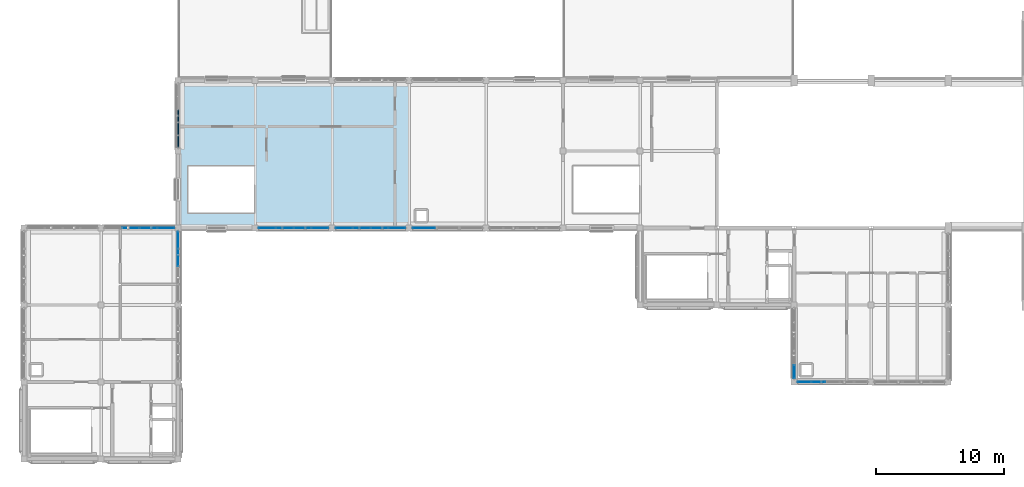
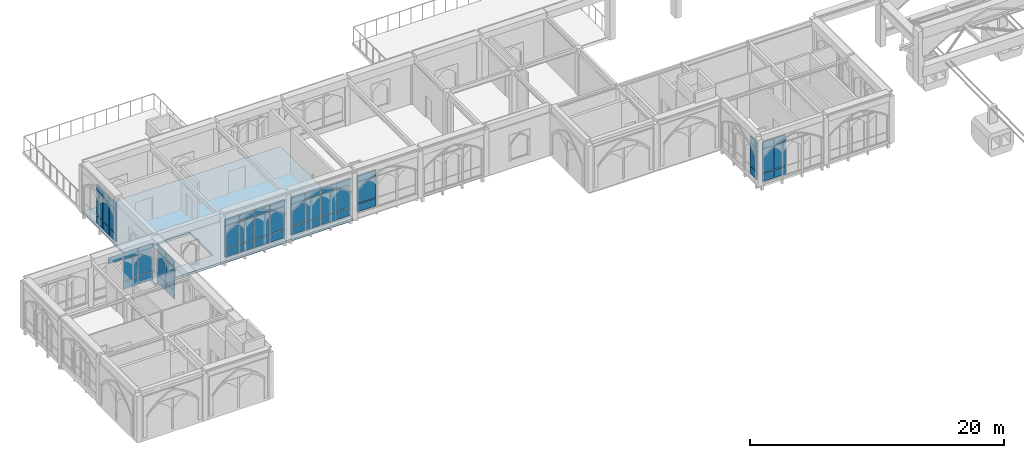
# One storey, part 36 of 59: 58 plates, 1 slab, 8 elements without a shape of their own.
"""IFC4 building model written with IfcOpenShell, lengths in metres."""

from ifc_helpers import new_model, si_unit, direction, frame, origin, origin_2d, place, context, subcontext, project, spatial, polyline, rectangle, outline, extrude, material, layer, layer_set, type_object, element, aggregate, save


model = new_model("IFC4")

# Units and contexts
model_context = context("Model", 3, precision=1e-05, world=origin(), true_north=direction((0.0, 1.0)))
body_context = subcontext(model_context, "Body", "Model", "MODEL_VIEW")
ifc_project = project(units=[si_unit("LENGTHUNIT", "METRE"), si_unit("AREAUNIT", "SQUARE_METRE"), si_unit("VOLUMEUNIT", "CUBIC_METRE"), si_unit("PLANEANGLEUNIT", "RADIAN"), si_unit("MASSUNIT", "GRAM", prefix="KILO")], contexts=[model_context])

# Site, building, storey
site_placement = place(None, origin())
site = spatial("IfcSite", under=ifc_project, at=site_placement, CompositionType="ELEMENT")
building_placement = place(site_placement, origin())
building = spatial("IfcBuilding", under=site, at=building_placement, Name="Cumevento Cable Car Station", CompositionType="ELEMENT")
storey_placement = place(building_placement, frame((0.0, 0.0, 18.0)))
storey = spatial("IfcBuildingStorey", under=building, at=storey_placement, Name="L05", CompositionType="ELEMENT", Elevation=18.0)

# Slab
ifc_material_1 = material(Name="Concrete C40/50", Category="concrete")
ifc_layer_1 = layer(ifc_material_1, 0.2119140625)
ifc_layer_set_1 = layer_set([ifc_layer_1], Name="Concrete C40/50")
slab_type = type_object("IfcSlabType", Name="Concrete Deck FS-212 212", PredefinedType="FLOOR", material=ifc_layer_set_1)
slab_placement = place(storey_placement, frame((0.0, 0.0, -0.2119140625)))
element("IfcSlab", 1, at=slab_placement, inside=storey, type_object=slab_type, Name="Floor Slab FS-212 L05 B_V6c.1", PredefinedType="FLOOR", context=body_context, shape_type="SweptSolid", body=[
    extrude(outline(polyline([(22.0, 45.0), (40.0, 45.0), (40.0, 56.5), (22.0, 56.5), (22.0, 45.0)]), holes=[polyline([(22.800048828125, 46.199951171875), (27.89990234375, 46.199951171875), (27.89990234375, 49.800048828125), (22.800048828125, 49.800048828125), (22.800048828125, 46.199951171875)])]), origin(), (0.0, 0.0, 1.0), 0.2119140625),
])

# Curtain wall, plates
ifc_material_2 = material(Name="Anodised Bronze Aluminium AW-6063-T6", Category="aluminium")
ifc_layer_2 = layer(ifc_material_2, 0.196044921875)
ifc_layer_set_2 = layer_set([ifc_layer_2], Name="Anodised Bronze Aluminium AW-6063-T6")
curtain_wall_type_1 = type_object("IfcCurtainWallType", Name="Lancet Curtain Wall CW-07 1290", PredefinedType="NOTDEFINED", material=ifc_layer_set_2)
curtain_wall_1_placement = place(storey_placement, origin())
curtain_wall_1 = element("IfcCurtainWall", 2, at=curtain_wall_1_placement, inside=storey, type_object=curtain_wall_type_1, Name="Lancet Curtain Wall CW-07 L05 #198", PredefinedType="NOTDEFINED")
ifc_material_3 = material(Name="Solar Control Laminated Double Glazing", Category="glass")
ifc_layer_3 = layer(ifc_material_3, 0.030029296875)
ifc_layer_set_3 = layer_set([ifc_layer_3], Name="Solar Control Laminated Double Glazing")
plate_type_1 = type_object("IfcPlateType", Name="Glazed Panel CWP-03 30", PredefinedType="CURTAIN_PANEL", material=ifc_layer_set_3)
plate_1_placement = place(storey_placement, frame((18.30615234375, 45.0, 3.425537109375), z_axis=(0.0, 0.0, 1.0), x_axis=(1.0, 0.0, 0.0)))
plate_1 = element("IfcPlate", 3, at=plate_1_placement, type_object=plate_type_1, Name="CW-07 panel 2.3", PredefinedType="CURTAIN_PANEL", context=body_context, shape_type="SweptSolid", body=[
    extrude(rectangle(XDim=1.322509765625, YDim=0.030029296875, at=origin_2d()), origin(), (0.0, 0.0, 1.0), 0.6025390625),
])
plate_2_placement = place(storey_placement, frame((19.69384765625, 45.0, 0.525146484375), z_axis=(0.0, 0.0, 1.0), x_axis=(1.0, 0.0, 0.0)))
plate_2 = element("IfcPlate", 4, at=plate_2_placement, type_object=plate_type_1, Name="CW-07 panel 3.1", PredefinedType="CURTAIN_PANEL", context=body_context, shape_type="SweptSolid", body=[
    extrude(rectangle(XDim=1.322509765625, YDim=0.030029296875, at=origin_2d()), origin(), (0.0, 0.0, 1.0), 0.75244140625),
])
plate_3_placement = place(storey_placement, frame((19.69384765625, 45.0, 1.342529296875), z_axis=(0.0, 0.0, 1.0), x_axis=(1.0, 0.0, 0.0)))
plate_3 = element("IfcPlate", 5, at=plate_3_placement, type_object=plate_type_1, Name="CW-07 panel 3.2", PredefinedType="CURTAIN_PANEL", context=body_context, shape_type="SweptSolid", body=[
    extrude(rectangle(XDim=1.322509765625, YDim=0.030029296875, at=origin_2d()), origin(), (0.0, 0.0, 1.0), 2.01806640625),
])
plate_4_placement = place(storey_placement, frame((19.69384765625, 45.0, 3.425537109375), z_axis=(0.0, 0.0, 1.0), x_axis=(1.0, 0.0, 0.0)))
plate_4 = element("IfcPlate", 6, at=plate_4_placement, type_object=plate_type_1, Name="CW-07 panel 3.3", PredefinedType="CURTAIN_PANEL", context=body_context, shape_type="SweptSolid", body=[
    extrude(rectangle(XDim=1.322509765625, YDim=0.030029296875, at=origin_2d()), origin(), (0.0, 0.0, 1.0), 0.6025390625),
])
plate_5_placement = place(storey_placement, frame((21.06494140625, 45.0, 0.525146484375), z_axis=(0.0, 0.0, 1.0), x_axis=(1.0, 0.0, 0.0)))
plate_5 = element("IfcPlate", 7, at=plate_5_placement, type_object=plate_type_1, Name="CW-07 panel 4.1", PredefinedType="CURTAIN_PANEL", context=body_context, shape_type="SweptSolid", body=[
    extrude(rectangle(XDim=1.2900390625, YDim=0.030029296875, at=origin_2d()), origin(), (0.0, 0.0, 1.0), 0.75244140625),
])
plate_6_placement = place(storey_placement, frame((21.06494140625, 45.0, 1.342529296875), z_axis=(0.0, 0.0, 1.0), x_axis=(1.0, 0.0, 0.0)))
plate_6 = element("IfcPlate", 8, at=plate_6_placement, type_object=plate_type_1, Name="CW-07 panel 4.2", PredefinedType="CURTAIN_PANEL", context=body_context, shape_type="SweptSolid", body=[
    extrude(rectangle(XDim=1.2900390625, YDim=0.030029296875, at=origin_2d()), origin(), (0.0, 0.0, 1.0), 2.01806640625),
])
plate_7_placement = place(storey_placement, frame((21.06494140625, 45.0, 3.425537109375), z_axis=(0.0, 0.0, 1.0), x_axis=(1.0, 0.0, 0.0)))
plate_7 = element("IfcPlate", 9, at=plate_7_placement, type_object=plate_type_1, Name="CW-07 panel 4.3", PredefinedType="CURTAIN_PANEL", context=body_context, shape_type="SweptSolid", body=[
    extrude(rectangle(XDim=1.2900390625, YDim=0.030029296875, at=origin_2d()), origin(), (0.0, 0.0, 1.0), 0.6025390625),
])
aggregate(curtain_wall_1, [plate_1, plate_2, plate_3, plate_4, plate_5, plate_6, plate_7])

ifc_material_4 = material(Name="Anodised Bronze Aluminium AW-6063-T6", Category="aluminium")
ifc_layer_4 = layer(ifc_material_4, 0.219970703125)
ifc_layer_set_4 = layer_set([ifc_layer_4], Name="Anodised Bronze Aluminium AW-6063-T6")
curtain_wall_type_2 = type_object("IfcCurtainWallType", Name="Lancet Curtain Wall CW-11 1450", PredefinedType="NOTDEFINED", material=ifc_layer_set_4)
curtain_wall_2_placement = place(storey_placement, origin())
curtain_wall_2 = element("IfcCurtainWall", 10, at=curtain_wall_2_placement, inside=storey, type_object=curtain_wall_type_2, Name="Lancet Curtain Wall CW-11 L05 #202", PredefinedType="NOTDEFINED")
ifc_material_5 = material(Name="Solar Control Laminated Double Glazing", Category="glass")
ifc_layer_5 = layer(ifc_material_5, 0.0458984375)
ifc_layer_set_5 = layer_set([ifc_layer_5], Name="Solar Control Laminated Double Glazing")
plate_type_2 = type_object("IfcPlateType", Name="Glazed Panel CWP-07 46", PredefinedType="CURTAIN_PANEL", material=ifc_layer_set_5)
plate_8_placement = place(storey_placement, frame((22.0, 44.06494140625, 0.324951171875), z_axis=(0.0, 0.0, 1.0), x_axis=(0.0, -1.0, 0.0)))
plate_8 = element("IfcPlate", 11, at=plate_8_placement, type_object=plate_type_2, Name="CW-11 panel 1.1", PredefinedType="CURTAIN_PANEL", context=body_context, shape_type="SweptSolid", body=[
    extrude(rectangle(XDim=1.2900390625, YDim=0.0458984375, at=origin_2d()), origin(), (0.0, 0.0, 1.0), 0.75244140625),
])
plate_9_placement = place(storey_placement, frame((22.0, 44.06494140625, 1.142578125), z_axis=(0.0, 0.0, 1.0), x_axis=(0.0, -1.0, 0.0)))
plate_9 = element("IfcPlate", 12, at=plate_9_placement, type_object=plate_type_2, Name="CW-11 panel 1.2", PredefinedType="CURTAIN_PANEL", context=body_context, shape_type="SweptSolid", body=[
    extrude(rectangle(XDim=1.2900390625, YDim=0.0458984375, at=origin_2d()), origin(), (0.0, 0.0, 1.0), 2.218017578125),
])
plate_10_placement = place(storey_placement, frame((22.0, 44.06494140625, 3.425537109375), z_axis=(0.0, 0.0, 1.0), x_axis=(0.0, -1.0, 0.0)))
plate_10 = element("IfcPlate", 13, at=plate_10_placement, type_object=plate_type_2, Name="CW-11 panel 1.3", PredefinedType="CURTAIN_PANEL", context=body_context, shape_type="SweptSolid", body=[
    extrude(rectangle(XDim=1.2900390625, YDim=0.0458984375, at=origin_2d()), origin(), (0.0, 0.0, 1.0), 0.6025390625),
])
plate_11_placement = place(storey_placement, frame((22.0, 42.69384765625, 0.324951171875), z_axis=(0.0, 0.0, 1.0), x_axis=(0.0, -1.0, 0.0)))
plate_11 = element("IfcPlate", 14, at=plate_11_placement, type_object=plate_type_2, Name="CW-11 panel 2.1", PredefinedType="CURTAIN_PANEL", context=body_context, shape_type="SweptSolid", body=[
    extrude(rectangle(XDim=1.322509765625, YDim=0.0458984375, at=origin_2d()), origin(), (0.0, 0.0, 1.0), 0.75244140625),
])
plate_12_placement = place(storey_placement, frame((22.0, 42.69384765625, 1.142578125), z_axis=(0.0, 0.0, 1.0), x_axis=(0.0, -1.0, 0.0)))
plate_12 = element("IfcPlate", 15, at=plate_12_placement, type_object=plate_type_2, Name="CW-11 panel 2.2", PredefinedType="CURTAIN_PANEL", context=body_context, shape_type="SweptSolid", body=[
    extrude(rectangle(XDim=1.322509765625, YDim=0.0458984375, at=origin_2d()), origin(), (0.0, 0.0, 1.0), 2.218017578125),
])
plate_13_placement = place(storey_placement, frame((22.0, 42.69384765625, 3.425537109375), z_axis=(0.0, 0.0, 1.0), x_axis=(0.0, -1.0, 0.0)))
plate_13 = element("IfcPlate", 16, at=plate_13_placement, type_object=plate_type_2, Name="CW-11 panel 2.3", PredefinedType="CURTAIN_PANEL", context=body_context, shape_type="SweptSolid", body=[
    extrude(rectangle(XDim=1.322509765625, YDim=0.0458984375, at=origin_2d()), origin(), (0.0, 0.0, 1.0), 0.6025390625),
])
aggregate(curtain_wall_2, [plate_8, plate_9, plate_10, plate_11, plate_12, plate_13])

ifc_material_6 = material(Name="Anodised Bronze Aluminium AW-6063-T6", Category="aluminium")
ifc_layer_6 = layer(ifc_material_6, 0.22607421875)
ifc_layer_set_6 = layer_set([ifc_layer_6], Name="Anodised Bronze Aluminium AW-6063-T6")
curtain_wall_type_3 = type_object("IfcCurtainWallType", Name="Lancet Curtain Wall CW-12 1490", PredefinedType="NOTDEFINED", material=ifc_layer_set_6)
curtain_wall_3_placement = place(storey_placement, origin())
curtain_wall_3 = element("IfcCurtainWall", 17, at=curtain_wall_3_placement, inside=storey, type_object=curtain_wall_type_3, Name="Lancet Curtain Wall CW-12 L05 #203", PredefinedType="NOTDEFINED")
ifc_material_7 = material(Name="Solar Control Laminated Double Glazing", Category="glass")
ifc_layer_7 = layer(ifc_material_7, 0.050048828125)
ifc_layer_set_7 = layer_set([ifc_layer_7], Name="Solar Control Laminated Double Glazing")
plate_type_3 = type_object("IfcPlateType", Name="Glazed Panel CWP-08 50", PredefinedType="CURTAIN_PANEL", material=ifc_layer_set_7)
plate_14_placement = place(storey_placement, frame((33.06494140625, 45.0, 0.375), z_axis=(0.0, 0.0, 1.0), x_axis=(-1.0, 0.0, 0.0)))
plate_14 = element("IfcPlate", 18, at=plate_14_placement, type_object=plate_type_3, Name="CW-12 panel 1.1", PredefinedType="CURTAIN_PANEL", context=body_context, shape_type="SweptSolid", body=[
    extrude(rectangle(XDim=1.2900390625, YDim=0.050048828125, at=origin_2d()), origin(), (0.0, 0.0, 1.0), 0.75244140625),
])
plate_15_placement = place(storey_placement, frame((33.06494140625, 45.0, 1.192626953125), z_axis=(0.0, 0.0, 1.0), x_axis=(-1.0, 0.0, 0.0)))
plate_15 = element("IfcPlate", 19, at=plate_15_placement, type_object=plate_type_3, Name="CW-12 panel 1.2", PredefinedType="CURTAIN_PANEL", context=body_context, shape_type="SweptSolid", body=[
    extrude(rectangle(XDim=1.2900390625, YDim=0.050048828125, at=origin_2d()), origin(), (0.0, 0.0, 1.0), 2.16796875),
])
plate_16_placement = place(storey_placement, frame((33.06494140625, 45.0, 3.425537109375), z_axis=(0.0, 0.0, 1.0), x_axis=(-1.0, 0.0, 0.0)))
plate_16 = element("IfcPlate", 20, at=plate_16_placement, type_object=plate_type_3, Name="CW-12 panel 1.3", PredefinedType="CURTAIN_PANEL", context=body_context, shape_type="SweptSolid", body=[
    extrude(rectangle(XDim=1.2900390625, YDim=0.050048828125, at=origin_2d()), origin(), (0.0, 0.0, 1.0), 0.6025390625),
])
plate_17_placement = place(storey_placement, frame((31.69384765625, 45.0, 0.375), z_axis=(0.0, 0.0, 1.0), x_axis=(-1.0, 0.0, 0.0)))
plate_17 = element("IfcPlate", 21, at=plate_17_placement, type_object=plate_type_3, Name="CW-12 panel 2.1", PredefinedType="CURTAIN_PANEL", context=body_context, shape_type="SweptSolid", body=[
    extrude(rectangle(XDim=1.322509765625, YDim=0.050048828125, at=origin_2d()), origin(), (0.0, 0.0, 1.0), 0.75244140625),
])
plate_18_placement = place(storey_placement, frame((31.69384765625, 45.0, 1.192626953125), z_axis=(0.0, 0.0, 1.0), x_axis=(-1.0, 0.0, 0.0)))
plate_18 = element("IfcPlate", 22, at=plate_18_placement, type_object=plate_type_3, Name="CW-12 panel 2.2", PredefinedType="CURTAIN_PANEL", context=body_context, shape_type="SweptSolid", body=[
    extrude(rectangle(XDim=1.322509765625, YDim=0.050048828125, at=origin_2d()), origin(), (0.0, 0.0, 1.0), 2.16796875),
])
plate_19_placement = place(storey_placement, frame((31.69384765625, 45.0, 3.425537109375), z_axis=(0.0, 0.0, 1.0), x_axis=(-1.0, 0.0, 0.0)))
plate_19 = element("IfcPlate", 23, at=plate_19_placement, type_object=plate_type_3, Name="CW-12 panel 2.3", PredefinedType="CURTAIN_PANEL", context=body_context, shape_type="SweptSolid", body=[
    extrude(rectangle(XDim=1.322509765625, YDim=0.050048828125, at=origin_2d()), origin(), (0.0, 0.0, 1.0), 0.6025390625),
])
plate_20_placement = place(storey_placement, frame((30.30615234375, 45.0, 0.375), z_axis=(0.0, 0.0, 1.0), x_axis=(-1.0, 0.0, 0.0)))
plate_20 = element("IfcPlate", 24, at=plate_20_placement, type_object=plate_type_3, Name="CW-12 panel 3.1", PredefinedType="CURTAIN_PANEL", context=body_context, shape_type="SweptSolid", body=[
    extrude(rectangle(XDim=1.322509765625, YDim=0.050048828125, at=origin_2d()), origin(), (0.0, 0.0, 1.0), 0.75244140625),
])
plate_21_placement = place(storey_placement, frame((30.30615234375, 45.0, 1.192626953125), z_axis=(0.0, 0.0, 1.0), x_axis=(-1.0, 0.0, 0.0)))
plate_21 = element("IfcPlate", 25, at=plate_21_placement, type_object=plate_type_3, Name="CW-12 panel 3.2", PredefinedType="CURTAIN_PANEL", context=body_context, shape_type="SweptSolid", body=[
    extrude(rectangle(XDim=1.322509765625, YDim=0.050048828125, at=origin_2d()), origin(), (0.0, 0.0, 1.0), 2.16796875),
])
plate_22_placement = place(storey_placement, frame((30.30615234375, 45.0, 3.425537109375), z_axis=(0.0, 0.0, 1.0), x_axis=(-1.0, 0.0, 0.0)))
plate_22 = element("IfcPlate", 26, at=plate_22_placement, type_object=plate_type_3, Name="CW-12 panel 3.3", PredefinedType="CURTAIN_PANEL", context=body_context, shape_type="SweptSolid", body=[
    extrude(rectangle(XDim=1.322509765625, YDim=0.050048828125, at=origin_2d()), origin(), (0.0, 0.0, 1.0), 0.6025390625),
])
plate_23_placement = place(storey_placement, frame((28.93505859375, 45.0, 0.375), z_axis=(0.0, 0.0, 1.0), x_axis=(-1.0, 0.0, 0.0)))
plate_23 = element("IfcPlate", 27, at=plate_23_placement, type_object=plate_type_3, Name="CW-12 panel 4.1", PredefinedType="CURTAIN_PANEL", context=body_context, shape_type="SweptSolid", body=[
    extrude(rectangle(XDim=1.2900390625, YDim=0.050048828125, at=origin_2d()), origin(), (0.0, 0.0, 1.0), 0.75244140625),
])
plate_24_placement = place(storey_placement, frame((28.93505859375, 45.0, 1.192626953125), z_axis=(0.0, 0.0, 1.0), x_axis=(-1.0, 0.0, 0.0)))
plate_24 = element("IfcPlate", 28, at=plate_24_placement, type_object=plate_type_3, Name="CW-12 panel 4.2", PredefinedType="CURTAIN_PANEL", context=body_context, shape_type="SweptSolid", body=[
    extrude(rectangle(XDim=1.2900390625, YDim=0.050048828125, at=origin_2d()), origin(), (0.0, 0.0, 1.0), 2.16796875),
])
plate_25_placement = place(storey_placement, frame((28.93505859375, 45.0, 3.425537109375), z_axis=(0.0, 0.0, 1.0), x_axis=(-1.0, 0.0, 0.0)))
plate_25 = element("IfcPlate", 29, at=plate_25_placement, type_object=plate_type_3, Name="CW-12 panel 4.3", PredefinedType="CURTAIN_PANEL", context=body_context, shape_type="SweptSolid", body=[
    extrude(rectangle(XDim=1.2900390625, YDim=0.050048828125, at=origin_2d()), origin(), (0.0, 0.0, 1.0), 0.6025390625),
])
aggregate(curtain_wall_3, [plate_14, plate_15, plate_16, plate_17, plate_18, plate_19, plate_20, plate_21, plate_22, plate_23, plate_24, plate_25])

ifc_material_8 = material(Name="Anodised Bronze Aluminium AW-6063-T6", Category="aluminium")
ifc_layer_8 = layer(ifc_material_8, 0.23193359375)
ifc_layer_set_8 = layer_set([ifc_layer_8], Name="Anodised Bronze Aluminium AW-6063-T6")
curtain_wall_type_4 = type_object("IfcCurtainWallType", Name="Lancet Curtain Wall CW-13 1530", PredefinedType="NOTDEFINED", material=ifc_layer_set_8)
curtain_wall_4_placement = place(storey_placement, origin())
curtain_wall_4 = element("IfcCurtainWall", 30, at=curtain_wall_4_placement, inside=storey, type_object=curtain_wall_type_4, Name="Lancet Curtain Wall CW-13 L05 #204", PredefinedType="NOTDEFINED")
ifc_material_9 = material(Name="Insulated Bronze Aluminium Spandrel Panel", Category="aluminium")
ifc_layer_9 = layer(ifc_material_9, 0.054931640625)
ifc_layer_set_9 = layer_set([ifc_layer_9], Name="Insulated Bronze Aluminium Spandrel Panel")
plate_type_4 = type_object("IfcPlateType", Name="Spandrel Panel CWP-09 55", PredefinedType="CURTAIN_PANEL", material=ifc_layer_set_9)
plate_26_placement = place(storey_placement, frame((39.06494140625, 45.0, 0.425048828125), z_axis=(0.0, 0.0, 1.0), x_axis=(-1.0, 0.0, 0.0)))
plate_26 = element("IfcPlate", 31, at=plate_26_placement, type_object=plate_type_4, Name="CW-13 panel 1.1", PredefinedType="CURTAIN_PANEL", context=body_context, shape_type="SweptSolid", body=[
    extrude(rectangle(XDim=1.2900390625, YDim=0.054931640625, at=origin_2d()), origin(), (0.0, 0.0, 1.0), 0.75244140625),
])
plate_27_placement = place(storey_placement, frame((39.06494140625, 45.0, 1.24267578125), z_axis=(0.0, 0.0, 1.0), x_axis=(-1.0, 0.0, 0.0)))
plate_27 = element("IfcPlate", 32, at=plate_27_placement, type_object=plate_type_4, Name="CW-13 panel 1.2", PredefinedType="CURTAIN_PANEL", context=body_context, shape_type="SweptSolid", body=[
    extrude(rectangle(XDim=1.2900390625, YDim=0.054931640625, at=origin_2d()), origin(), (0.0, 0.0, 1.0), 2.117919921875),
])
plate_28_placement = place(storey_placement, frame((39.06494140625, 45.0, 3.425537109375), z_axis=(0.0, 0.0, 1.0), x_axis=(-1.0, 0.0, 0.0)))
plate_28 = element("IfcPlate", 33, at=plate_28_placement, type_object=plate_type_4, Name="CW-13 panel 1.3", PredefinedType="CURTAIN_PANEL", context=body_context, shape_type="SweptSolid", body=[
    extrude(rectangle(XDim=1.2900390625, YDim=0.054931640625, at=origin_2d()), origin(), (0.0, 0.0, 1.0), 0.6025390625),
])
plate_29_placement = place(storey_placement, frame((37.69384765625, 45.0, 0.425048828125), z_axis=(0.0, 0.0, 1.0), x_axis=(-1.0, 0.0, 0.0)))
plate_29 = element("IfcPlate", 34, at=plate_29_placement, type_object=plate_type_4, Name="CW-13 panel 2.1", PredefinedType="CURTAIN_PANEL", context=body_context, shape_type="SweptSolid", body=[
    extrude(rectangle(XDim=1.322509765625, YDim=0.054931640625, at=origin_2d()), origin(), (0.0, 0.0, 1.0), 0.75244140625),
])
plate_30_placement = place(storey_placement, frame((37.69384765625, 45.0, 1.24267578125), z_axis=(0.0, 0.0, 1.0), x_axis=(-1.0, 0.0, 0.0)))
plate_30 = element("IfcPlate", 35, at=plate_30_placement, type_object=plate_type_4, Name="CW-13 panel 2.2", PredefinedType="CURTAIN_PANEL", context=body_context, shape_type="SweptSolid", body=[
    extrude(rectangle(XDim=1.322509765625, YDim=0.054931640625, at=origin_2d()), origin(), (0.0, 0.0, 1.0), 2.117919921875),
])
plate_31_placement = place(storey_placement, frame((37.69384765625, 45.0, 3.425537109375), z_axis=(0.0, 0.0, 1.0), x_axis=(-1.0, 0.0, 0.0)))
plate_31 = element("IfcPlate", 36, at=plate_31_placement, type_object=plate_type_4, Name="CW-13 panel 2.3", PredefinedType="CURTAIN_PANEL", context=body_context, shape_type="SweptSolid", body=[
    extrude(rectangle(XDim=1.322509765625, YDim=0.054931640625, at=origin_2d()), origin(), (0.0, 0.0, 1.0), 0.6025390625),
])
plate_32_placement = place(storey_placement, frame((36.30615234375, 45.0, 0.425048828125), z_axis=(0.0, 0.0, 1.0), x_axis=(-1.0, 0.0, 0.0)))
plate_32 = element("IfcPlate", 37, at=plate_32_placement, type_object=plate_type_4, Name="CW-13 panel 3.1", PredefinedType="CURTAIN_PANEL", context=body_context, shape_type="SweptSolid", body=[
    extrude(rectangle(XDim=1.322509765625, YDim=0.054931640625, at=origin_2d()), origin(), (0.0, 0.0, 1.0), 0.75244140625),
])
plate_33_placement = place(storey_placement, frame((36.30615234375, 45.0, 1.24267578125), z_axis=(0.0, 0.0, 1.0), x_axis=(-1.0, 0.0, 0.0)))
plate_33 = element("IfcPlate", 38, at=plate_33_placement, type_object=plate_type_4, Name="CW-13 panel 3.2", PredefinedType="CURTAIN_PANEL", context=body_context, shape_type="SweptSolid", body=[
    extrude(rectangle(XDim=1.322509765625, YDim=0.054931640625, at=origin_2d()), origin(), (0.0, 0.0, 1.0), 2.117919921875),
])
plate_34_placement = place(storey_placement, frame((36.30615234375, 45.0, 3.425537109375), z_axis=(0.0, 0.0, 1.0), x_axis=(-1.0, 0.0, 0.0)))
plate_34 = element("IfcPlate", 39, at=plate_34_placement, type_object=plate_type_4, Name="CW-13 panel 3.3", PredefinedType="CURTAIN_PANEL", context=body_context, shape_type="SweptSolid", body=[
    extrude(rectangle(XDim=1.322509765625, YDim=0.054931640625, at=origin_2d()), origin(), (0.0, 0.0, 1.0), 0.6025390625),
])
plate_35_placement = place(storey_placement, frame((34.93505859375, 45.0, 0.425048828125), z_axis=(0.0, 0.0, 1.0), x_axis=(-1.0, 0.0, 0.0)))
plate_35 = element("IfcPlate", 40, at=plate_35_placement, type_object=plate_type_4, Name="CW-13 panel 4.1", PredefinedType="CURTAIN_PANEL", context=body_context, shape_type="SweptSolid", body=[
    extrude(rectangle(XDim=1.2900390625, YDim=0.054931640625, at=origin_2d()), origin(), (0.0, 0.0, 1.0), 0.75244140625),
])
plate_36_placement = place(storey_placement, frame((34.93505859375, 45.0, 1.24267578125), z_axis=(0.0, 0.0, 1.0), x_axis=(-1.0, 0.0, 0.0)))
plate_36 = element("IfcPlate", 41, at=plate_36_placement, type_object=plate_type_4, Name="CW-13 panel 4.2", PredefinedType="CURTAIN_PANEL", context=body_context, shape_type="SweptSolid", body=[
    extrude(rectangle(XDim=1.2900390625, YDim=0.054931640625, at=origin_2d()), origin(), (0.0, 0.0, 1.0), 2.117919921875),
])
plate_37_placement = place(storey_placement, frame((34.93505859375, 45.0, 3.425537109375), z_axis=(0.0, 0.0, 1.0), x_axis=(-1.0, 0.0, 0.0)))
plate_37 = element("IfcPlate", 42, at=plate_37_placement, type_object=plate_type_4, Name="CW-13 panel 4.3", PredefinedType="CURTAIN_PANEL", context=body_context, shape_type="SweptSolid", body=[
    extrude(rectangle(XDim=1.2900390625, YDim=0.054931640625, at=origin_2d()), origin(), (0.0, 0.0, 1.0), 0.6025390625),
])
aggregate(curtain_wall_4, [plate_26, plate_27, plate_28, plate_29, plate_30, plate_31, plate_32, plate_33, plate_34, plate_35, plate_36, plate_37])

ifc_material_10 = material(Name="Anodised Bronze Aluminium AW-6063-T6", Category="aluminium")
ifc_layer_10 = layer(ifc_material_10, 0.159912109375)
ifc_layer_set_10 = layer_set([ifc_layer_10], Name="Anodised Bronze Aluminium AW-6063-T6")
curtain_wall_type_5 = type_object("IfcCurtainWallType", Name="Lancet Curtain Wall CW-01 1050", PredefinedType="NOTDEFINED", material=ifc_layer_set_10)
curtain_wall_5_placement = place(storey_placement, origin())
curtain_wall_5 = element("IfcCurtainWall", 43, at=curtain_wall_5_placement, inside=storey, type_object=curtain_wall_type_5, Name="Lancet Curtain Wall CW-01 L05 #192", PredefinedType="NOTDEFINED")
ifc_material_11 = material(Name="Insulated Bronze Aluminium Spandrel Panel", Category="aluminium")
ifc_layer_11 = layer(ifc_material_11, 0.06591796875)
ifc_layer_set_11 = layer_set([ifc_layer_11], Name="Insulated Bronze Aluminium Spandrel Panel")
plate_type_5 = type_object("IfcPlateType", Name="Spandrel Panel CWP-11 66", PredefinedType="CURTAIN_PANEL", material=ifc_layer_set_11)
plate_38_placement = place(storey_placement, frame((71.889892578125, 33.0, 0.22509765625), z_axis=(0.0, 0.0, 1.0), x_axis=(-1.0, 0.0, 0.0)))
plate_38 = element("IfcPlate", 44, at=plate_38_placement, type_object=plate_type_5, Name="CW-01 panel 4.1", PredefinedType="CURTAIN_PANEL", context=body_context, shape_type="SweptSolid", body=[
    extrude(rectangle(XDim=1.044921875, YDim=0.06591796875, at=origin_2d()), origin(), (0.0, 0.0, 1.0), 0.75244140625),
])
plate_39_placement = place(storey_placement, frame((71.889892578125, 33.0, 1.04248046875), z_axis=(0.0, 0.0, 1.0), x_axis=(-1.0, 0.0, 0.0)))
plate_39 = element("IfcPlate", 45, at=plate_39_placement, type_object=plate_type_5, Name="CW-01 panel 4.2", PredefinedType="CURTAIN_PANEL", context=body_context, shape_type="SweptSolid", body=[
    extrude(rectangle(XDim=1.044921875, YDim=0.06591796875, at=origin_2d()), origin(), (0.0, 0.0, 1.0), 2.318115234375),
])
plate_40_placement = place(storey_placement, frame((71.889892578125, 33.0, 3.425537109375), z_axis=(0.0, 0.0, 1.0), x_axis=(-1.0, 0.0, 0.0)))
plate_40 = element("IfcPlate", 46, at=plate_40_placement, type_object=plate_type_5, Name="CW-01 panel 4.3", PredefinedType="CURTAIN_PANEL", context=body_context, shape_type="SweptSolid", body=[
    extrude(rectangle(XDim=1.044921875, YDim=0.06591796875, at=origin_2d()), origin(), (0.0, 0.0, 1.0), 0.6025390625),
])
plate_41_placement = place(storey_placement, frame((70.796142578125, 33.0, 0.22509765625), z_axis=(0.0, 0.0, 1.0), x_axis=(-1.0, 0.0, 0.0)))
plate_41 = element("IfcPlate", 47, at=plate_41_placement, type_object=plate_type_5, Name="CW-01 panel 5.1", PredefinedType="CURTAIN_PANEL", context=body_context, shape_type="SweptSolid", body=[
    extrude(rectangle(XDim=1.012451171875, YDim=0.06591796875, at=origin_2d()), origin(), (0.0, 0.0, 1.0), 0.75244140625),
])
plate_42_placement = place(storey_placement, frame((70.796142578125, 33.0, 1.04248046875), z_axis=(0.0, 0.0, 1.0), x_axis=(-1.0, 0.0, 0.0)))
plate_42 = element("IfcPlate", 48, at=plate_42_placement, type_object=plate_type_5, Name="CW-01 panel 5.2", PredefinedType="CURTAIN_PANEL", context=body_context, shape_type="SweptSolid", body=[
    extrude(rectangle(XDim=1.012451171875, YDim=0.06591796875, at=origin_2d()), origin(), (0.0, 0.0, 1.0), 2.318115234375),
])
plate_43_placement = place(storey_placement, frame((70.796142578125, 33.0, 3.425537109375), z_axis=(0.0, 0.0, 1.0), x_axis=(-1.0, 0.0, 0.0)))
plate_43 = element("IfcPlate", 49, at=plate_43_placement, type_object=plate_type_5, Name="CW-01 panel 5.3", PredefinedType="CURTAIN_PANEL", context=body_context, shape_type="SweptSolid", body=[
    extrude(rectangle(XDim=1.012451171875, YDim=0.06591796875, at=origin_2d()), origin(), (0.0, 0.0, 1.0), 0.6025390625),
])
aggregate(curtain_wall_5, [plate_38, plate_39, plate_40, plate_41, plate_42, plate_43])

ifc_material_12 = material(Name="Anodised Bronze Aluminium AW-6063-T6", Category="aluminium")
ifc_layer_12 = layer(ifc_material_12, 0.243896484375)
ifc_layer_set_12 = layer_set([ifc_layer_12], Name="Anodised Bronze Aluminium AW-6063-T6")
curtain_wall_type_6 = type_object("IfcCurtainWallType", Name="Lancet Curtain Wall CW-15 1610", PredefinedType="NOTDEFINED", material=ifc_layer_set_12)
curtain_wall_6_placement = place(storey_placement, origin())
curtain_wall_6 = element("IfcCurtainWall", 50, at=curtain_wall_6_placement, inside=storey, type_object=curtain_wall_type_6, Name="Lancet Curtain Wall CW-15 L05 #206", PredefinedType="NOTDEFINED")
plate_44_placement = place(storey_placement, frame((41.166259765625, 45.0, 0.525146484375), z_axis=(0.0, 0.0, 1.0), x_axis=(-1.0, 0.0, 0.0)))
plate_44 = element("IfcPlate", 51, at=plate_44_placement, type_object=plate_type_5, Name="CW-15 panel 3.1", PredefinedType="CURTAIN_PANEL", context=body_context, shape_type="SweptSolid", body=[
    extrude(rectangle(XDim=1.75244140625, YDim=0.06591796875, at=origin_2d()), origin(), (0.0, 0.0, 1.0), 0.75244140625),
])
plate_45_placement = place(storey_placement, frame((41.166259765625, 45.0, 1.342529296875), z_axis=(0.0, 0.0, 1.0), x_axis=(-1.0, 0.0, 0.0)))
plate_45 = element("IfcPlate", 52, at=plate_45_placement, type_object=plate_type_5, Name="CW-15 panel 3.2", PredefinedType="CURTAIN_PANEL", context=body_context, shape_type="SweptSolid", body=[
    extrude(rectangle(XDim=1.75244140625, YDim=0.06591796875, at=origin_2d()), origin(), (0.0, 0.0, 1.0), 2.01806640625),
])
plate_46_placement = place(storey_placement, frame((41.166259765625, 45.0, 3.425537109375), z_axis=(0.0, 0.0, 1.0), x_axis=(-1.0, 0.0, 0.0)))
plate_46 = element("IfcPlate", 53, at=plate_46_placement, type_object=plate_type_5, Name="CW-15 panel 3.3", PredefinedType="CURTAIN_PANEL", context=body_context, shape_type="SweptSolid", body=[
    extrude(rectangle(XDim=1.75244140625, YDim=0.06591796875, at=origin_2d()), origin(), (0.0, 0.0, 1.0), 0.6025390625),
])
aggregate(curtain_wall_6, [plate_44, plate_45, plate_46])

ifc_material_13 = material(Name="Anodised Bronze Aluminium AW-6063-T6", Category="aluminium")
ifc_layer_13 = layer(ifc_material_13, 0.172119140625)
ifc_layer_set_13 = layer_set([ifc_layer_13], Name="Anodised Bronze Aluminium AW-6063-T6")
curtain_wall_type_7 = type_object("IfcCurtainWallType", Name="Lancet Curtain Wall CW-03 1130", PredefinedType="NOTDEFINED", material=ifc_layer_set_13)
curtain_wall_7_placement = place(storey_placement, origin())
curtain_wall_7 = element("IfcCurtainWall", 54, at=curtain_wall_7_placement, inside=storey, type_object=curtain_wall_type_7, Name="Lancet Curtain Wall CW-03 L05 #194", PredefinedType="NOTDEFINED")
ifc_material_14 = material(Name="Insulated Bronze Aluminium Spandrel Panel", Category="aluminium")
ifc_layer_14 = layer(ifc_material_14, 0.077880859375)
ifc_layer_set_14 = layer_set([ifc_layer_14], Name="Insulated Bronze Aluminium Spandrel Panel")
plate_type_6 = type_object("IfcPlateType", Name="Spandrel Panel CWP-13 78", PredefinedType="CURTAIN_PANEL", material=ifc_layer_set_14)
plate_47_placement = place(storey_placement, frame((70.0, 33.796142578125, 0.324951171875), z_axis=(0.0, 0.0, 1.0), x_axis=(0.0, 1.0, 0.0)))
plate_47 = element("IfcPlate", 55, at=plate_47_placement, type_object=plate_type_6, Name="CW-03 panel 1.1", PredefinedType="CURTAIN_PANEL", context=body_context, shape_type="SweptSolid", body=[
    extrude(rectangle(XDim=1.012451171875, YDim=0.077880859375, at=origin_2d()), origin(), (0.0, 0.0, 1.0), 0.75244140625),
])
plate_48_placement = place(storey_placement, frame((70.0, 33.796142578125, 1.142578125), z_axis=(0.0, 0.0, 1.0), x_axis=(0.0, 1.0, 0.0)))
plate_48 = element("IfcPlate", 56, at=plate_48_placement, type_object=plate_type_6, Name="CW-03 panel 1.2", PredefinedType="CURTAIN_PANEL", context=body_context, shape_type="SweptSolid", body=[
    extrude(rectangle(XDim=1.012451171875, YDim=0.077880859375, at=origin_2d()), origin(), (0.0, 0.0, 1.0), 2.16796875),
])
plate_49_placement = place(storey_placement, frame((70.0, 33.796142578125, 3.37548828125), z_axis=(0.0, 0.0, 1.0), x_axis=(0.0, 1.0, 0.0)))
plate_49 = element("IfcPlate", 57, at=plate_49_placement, type_object=plate_type_6, Name="CW-03 panel 1.3", PredefinedType="CURTAIN_PANEL", context=body_context, shape_type="SweptSolid", body=[
    extrude(rectangle(XDim=1.012451171875, YDim=0.077880859375, at=origin_2d()), origin(), (0.0, 0.0, 1.0), 0.6025390625),
])
aggregate(curtain_wall_7, [plate_47, plate_48, plate_49])

ifc_material_15 = material(Name="Anodised Bronze Aluminium AW-6063-T6", Category="aluminium")
ifc_layer_15 = layer(ifc_material_15, 0.166015625)
ifc_layer_set_15 = layer_set([ifc_layer_15], Name="Anodised Bronze Aluminium AW-6063-T6")
curtain_wall_type_8 = type_object("IfcCurtainWallType", Name="Lancet Curtain Wall CW-02 1090", PredefinedType="NOTDEFINED", material=ifc_layer_set_15)
curtain_wall_8_placement = place(storey_placement, origin())
curtain_wall_8 = element("IfcCurtainWall", 58, at=curtain_wall_8_placement, inside=storey, type_object=curtain_wall_type_8, Name="Lancet Curtain Wall CW-02 L05 #209", PredefinedType="NOTDEFINED")
ifc_material_16 = material(Name="Insulated Bronze Aluminium Spandrel Panel", Category="aluminium")
ifc_layer_16 = layer(ifc_material_16, 0.0849609375)
ifc_layer_set_16 = layer_set([ifc_layer_16], Name="Insulated Bronze Aluminium Spandrel Panel")
plate_type_7 = type_object("IfcPlateType", Name="Spandrel Panel CWP-14 85", PredefinedType="CURTAIN_PANEL", material=ifc_layer_set_16)
plate_50_placement = place(storey_placement, frame((22.0, 51.746337890625, 0.275146484375), z_axis=(0.0, 0.0, 1.0), x_axis=(0.0, 1.0, 0.0)))
plate_50 = element("IfcPlate", 59, at=plate_50_placement, type_object=plate_type_7, Name="CW-02 panel 1.1", PredefinedType="CURTAIN_PANEL", context=body_context, shape_type="SweptSolid", body=[
    extrude(rectangle(XDim=0.91259765625, YDim=0.0849609375, at=origin_2d()), origin(), (0.0, 0.0, 1.0), 0.75244140625),
])
plate_51_placement = place(storey_placement, frame((22.0, 51.746337890625, 1.092529296875), z_axis=(0.0, 0.0, 1.0), x_axis=(0.0, 1.0, 0.0)))
plate_51 = element("IfcPlate", 60, at=plate_51_placement, type_object=plate_type_7, Name="CW-02 panel 1.2", PredefinedType="CURTAIN_PANEL", context=body_context, shape_type="SweptSolid", body=[
    extrude(rectangle(XDim=0.91259765625, YDim=0.0849609375, at=origin_2d()), origin(), (0.0, 0.0, 1.0), 2.26806640625),
])
plate_52_placement = place(storey_placement, frame((22.0, 51.746337890625, 3.425537109375), z_axis=(0.0, 0.0, 1.0), x_axis=(0.0, 1.0, 0.0)))
plate_52 = element("IfcPlate", 61, at=plate_52_placement, type_object=plate_type_7, Name="CW-02 panel 1.3", PredefinedType="CURTAIN_PANEL", context=body_context, shape_type="SweptSolid", body=[
    extrude(rectangle(XDim=0.91259765625, YDim=0.0849609375, at=origin_2d()), origin(), (0.0, 0.0, 1.0), 0.6025390625),
])
plate_53_placement = place(storey_placement, frame((22.0, 52.739990234375, 0.275146484375), z_axis=(0.0, 0.0, 1.0), x_axis=(0.0, 1.0, 0.0)))
plate_53 = element("IfcPlate", 62, at=plate_53_placement, type_object=plate_type_7, Name="CW-02 panel 2.1", PredefinedType="CURTAIN_PANEL", context=body_context, shape_type="SweptSolid", body=[
    extrude(rectangle(XDim=0.945068359375, YDim=0.0849609375, at=origin_2d()), origin(), (0.0, 0.0, 1.0), 0.75244140625),
])
plate_54_placement = place(storey_placement, frame((22.0, 52.739990234375, 1.092529296875), z_axis=(0.0, 0.0, 1.0), x_axis=(0.0, 1.0, 0.0)))
plate_54 = element("IfcPlate", 63, at=plate_54_placement, type_object=plate_type_7, Name="CW-02 panel 2.2", PredefinedType="CURTAIN_PANEL", context=body_context, shape_type="SweptSolid", body=[
    extrude(rectangle(XDim=0.945068359375, YDim=0.0849609375, at=origin_2d()), origin(), (0.0, 0.0, 1.0), 2.26806640625),
])
plate_55_placement = place(storey_placement, frame((22.0, 52.739990234375, 3.425537109375), z_axis=(0.0, 0.0, 1.0), x_axis=(0.0, 1.0, 0.0)))
plate_55 = element("IfcPlate", 64, at=plate_55_placement, type_object=plate_type_7, Name="CW-02 panel 2.3", PredefinedType="CURTAIN_PANEL", context=body_context, shape_type="SweptSolid", body=[
    extrude(rectangle(XDim=0.945068359375, YDim=0.0849609375, at=origin_2d()), origin(), (0.0, 0.0, 1.0), 0.6025390625),
])
plate_56_placement = place(storey_placement, frame((22.0, 53.75, 0.275146484375), z_axis=(0.0, 0.0, 1.0), x_axis=(0.0, 1.0, 0.0)))
plate_56 = element("IfcPlate", 65, at=plate_56_placement, type_object=plate_type_7, Name="CW-02 panel 3.1", PredefinedType="CURTAIN_PANEL", context=body_context, shape_type="SweptSolid", body=[
    extrude(rectangle(XDim=0.945068359375, YDim=0.0849609375, at=origin_2d()), origin(), (0.0, 0.0, 1.0), 0.75244140625),
])
plate_57_placement = place(storey_placement, frame((22.0, 53.75, 1.092529296875), z_axis=(0.0, 0.0, 1.0), x_axis=(0.0, 1.0, 0.0)))
plate_57 = element("IfcPlate", 66, at=plate_57_placement, type_object=plate_type_7, Name="CW-02 panel 3.2", PredefinedType="CURTAIN_PANEL", context=body_context, shape_type="SweptSolid", body=[
    extrude(rectangle(XDim=0.945068359375, YDim=0.0849609375, at=origin_2d()), origin(), (0.0, 0.0, 1.0), 2.26806640625),
])
plate_58_placement = place(storey_placement, frame((22.0, 53.75, 3.425537109375), z_axis=(0.0, 0.0, 1.0), x_axis=(0.0, 1.0, 0.0)))
plate_58 = element("IfcPlate", 67, at=plate_58_placement, type_object=plate_type_7, Name="CW-02 panel 3.3", PredefinedType="CURTAIN_PANEL", context=body_context, shape_type="SweptSolid", body=[
    extrude(rectangle(XDim=0.945068359375, YDim=0.0849609375, at=origin_2d()), origin(), (0.0, 0.0, 1.0), 0.6025390625),
])
aggregate(curtain_wall_8, [plate_50, plate_51, plate_52, plate_53, plate_54, plate_55, plate_56, plate_57, plate_58])

save(model, "model.ifc")
